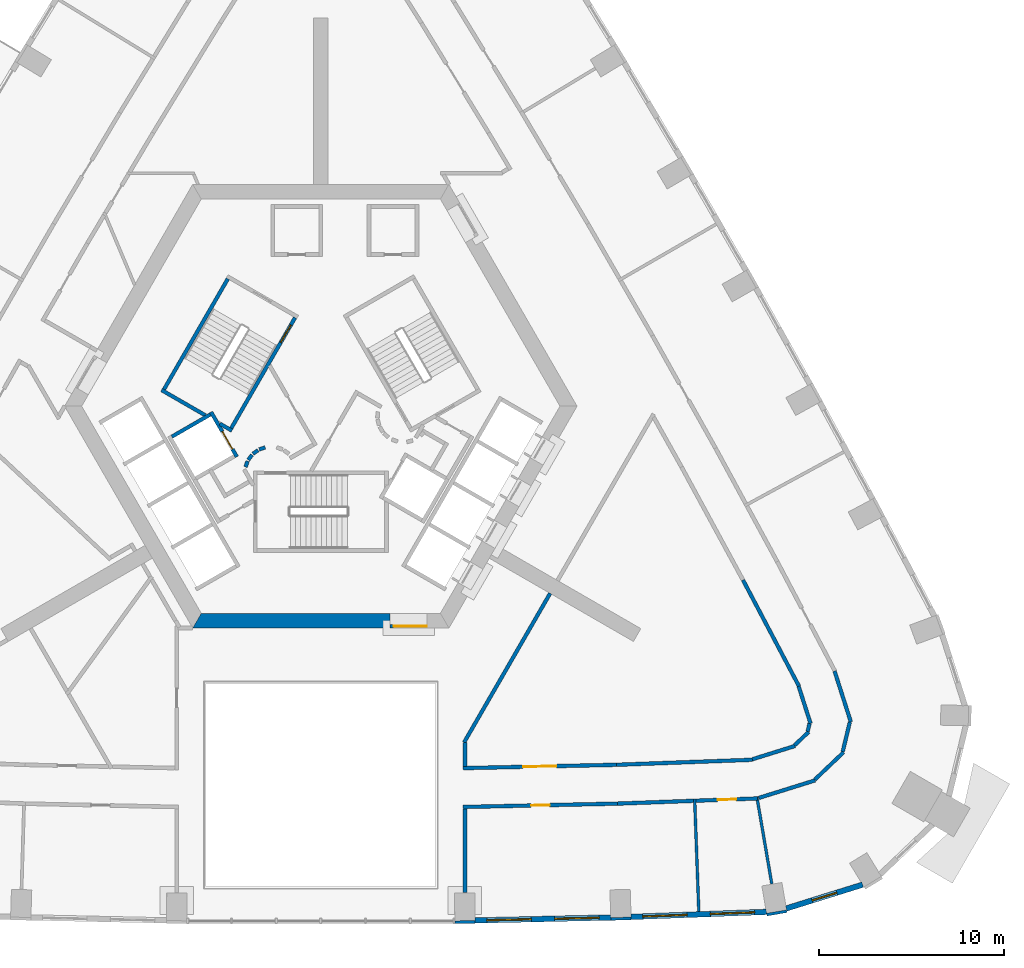
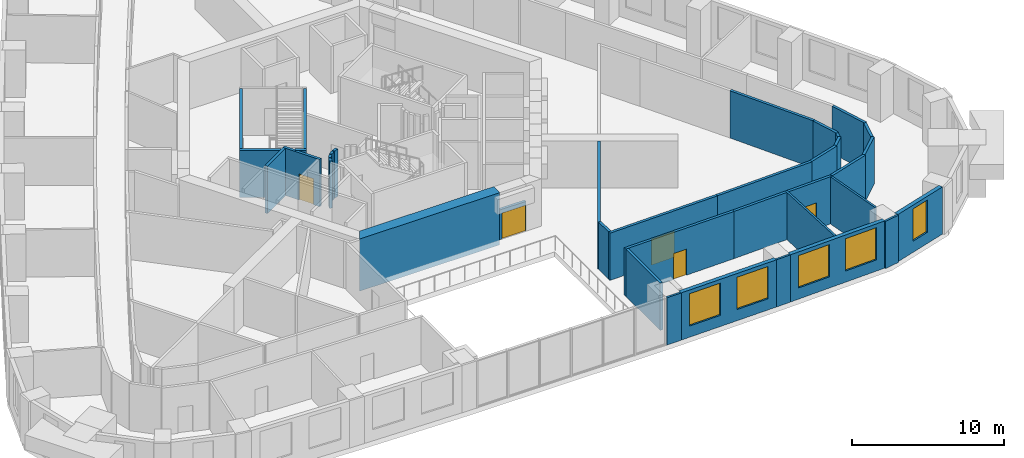
# One storey, part 6 of 15: 37 walls, 6 doors, 5 windows, 11 openings.
"""IFC4 building model written with IfcOpenShell, lengths in metres."""

import ifcopenshell
import ifcopenshell.guid

model = None  # the IFC model being written
_history = None  # IfcOwnerHistory: only IFC2X3 demands one
_inside = {}  # id of a spatial element -> (the spatial element, [elements in it])
_under = {}  # id of a project, library or spatial element -> (it, [spatial elements below it])
_declared = {}  # id of a project -> (the project, [libraries it declares])
_typed = {}  # id of a type object -> (the type object, [elements of that type])
_made_of = {}  # id of a material, layer set ... -> (it, [elements and type objects made of it])


def new_model(schema):
    """Start an empty IFC model of exactly this schema.

    Asked for "IFC4X3", IfcOpenShell would pick the latest addendum, in which some entities
    have other attributes; the version numbers below select the first issue.
    IFC2X3 requires an IfcOwnerHistory on every rooted entity: one is made here for all.
    """
    global model, _history
    if schema == "IFC4X3":
        model = ifcopenshell.file(schema_version=(4, 3, 0, 0))
    else:
        model = ifcopenshell.file(schema=schema)
    _inside.clear()
    _under.clear()
    _declared.clear()
    _typed.clear()
    _made_of.clear()
    _history = None
    if model.schema == "IFC2X3":
        org = make("IfcOrganization", Name="unknown")
        user = make(
            "IfcPersonAndOrganization",
            ThePerson=make("IfcPerson", FamilyName="unknown"),
            TheOrganization=org,
        )
        app = make(
            "IfcApplication",
            ApplicationDeveloper=org,
            Version="unknown",
            ApplicationFullName="unknown",
            ApplicationIdentifier="unknown",
        )
        _history = make(
            "IfcOwnerHistory",
            OwningUser=user,
            OwningApplication=app,
            ChangeAction="ADDED",
            CreationDate=0,
        )
    return model


def make(cls, **values):
    """One entity of the class cls with the attributes given. An attribute that is None is left unset."""
    return model.create_entity(
        cls, **{name: value for name, value in values.items() if value is not None}
    )


def rooted(cls, **values):
    """An entity with a GlobalId (a new one), such as an element, a storey or a relation."""
    return make(cls, GlobalId=ifcopenshell.guid.new(), OwnerHistory=_history, **values)


def si_unit(unit_type, name, prefix=None):
    """IfcSIUnit, for example si_unit("LENGTHUNIT", "METRE", prefix="MILLI")."""
    return make("IfcSIUnit", UnitType=unit_type, Prefix=prefix, Name=name)


def assignment(units):
    """IfcUnitAssignment: the units of a project."""
    return None if units is None else make("IfcUnitAssignment", Units=units)


def point(xyz):
    """IfcCartesianPoint."""
    return None if xyz is None else make("IfcCartesianPoint", Coordinates=xyz)


def direction(xyz):
    """IfcDirection."""
    return None if xyz is None else make("IfcDirection", DirectionRatios=xyz)


def frame(location, z_axis=None, x_axis=None):
    """IfcAxis2Placement3D, a coordinate frame: its origin and axes. An axis left out is left unset."""
    return make(
        "IfcAxis2Placement3D",
        Location=point(location),
        Axis=direction(z_axis),
        RefDirection=direction(x_axis),
    )


def frame_2d(location, x_axis=None):
    """IfcAxis2Placement2D, a coordinate frame in the plane: its origin and x axis."""
    return make(
        "IfcAxis2Placement2D", Location=point(location), RefDirection=direction(x_axis)
    )


def origin():
    """The frame at (0, 0, 0) with its axes left unset."""
    return frame((0.0, 0.0, 0.0))


def place(relative_to, where):
    """IfcLocalPlacement: puts the frame where relative to a parent placement (None: the world)."""
    return make(
        "IfcLocalPlacement", PlacementRelTo=relative_to, RelativePlacement=where
    )


def context(
    kind, dimensions, precision=None, world=None, true_north=None, identifier=None
):
    """IfcGeometricRepresentationContext, for example the 3D "Model" context."""
    return make(
        "IfcGeometricRepresentationContext",
        ContextIdentifier=identifier,
        ContextType=kind,
        CoordinateSpaceDimension=dimensions,
        Precision=precision,
        WorldCoordinateSystem=world,
        TrueNorth=true_north,
    )


def subcontext(parent, identifier, kind, view, scale=None):
    """IfcGeometricRepresentationSubContext, for example "Body" below "Model"."""
    return make(
        "IfcGeometricRepresentationSubContext",
        ContextIdentifier=identifier,
        ContextType=kind,
        ParentContext=parent,
        TargetScale=scale,
        TargetView=view,
    )


def project(units=None, contexts=None):
    """IfcProject with its units and contexts."""
    return rooted(
        "IfcProject",
        Name="project",
        RepresentationContexts=contexts,
        UnitsInContext=assignment(units),
    )


def spatial(cls, under=None, at=None, **own):
    """A site, building, storey or space (cls), placed at a placement, below another one or the project."""
    s = rooted(cls, ObjectPlacement=at, **own)
    if under is not None:
        _under.setdefault(under.id(), (under, []))[1].append(s)
    return s


def polyline(points):
    """IfcPolyline through the points."""
    return make("IfcPolyline", Points=[point(p) for p in points])


def profile(cls, at=None, kind="AREA", **sizes):
    """A parametric profile (cls). Its sizes go by their IFC names, for example OverallWidth=200.0."""
    return make(cls, ProfileType=kind, Position=at, **sizes)


def rectangle(**sizes):
    """IfcRectangleProfileDef."""
    return profile("IfcRectangleProfileDef", **sizes)


def outline(outer, holes=None, kind="AREA"):
    """IfcArbitraryClosedProfileDef: a profile drawn as a closed curve; with holes, ...WithVoids."""
    if holes is None:
        return make("IfcArbitraryClosedProfileDef", ProfileType=kind, OuterCurve=outer)
    return make(
        "IfcArbitraryProfileDefWithVoids",
        ProfileType=kind,
        OuterCurve=outer,
        InnerCurves=holes,
    )


def extrude(swept, where, along, depth):
    """IfcExtrudedAreaSolid: the profile swept, set in the frame where, extruded along a direction by depth."""
    return make(
        "IfcExtrudedAreaSolid",
        SweptArea=swept,
        Position=where,
        ExtrudedDirection=direction(along),
        Depth=depth,
    )


def shape(context_of_items, identifier, shape_type, items):
    """IfcShapeRepresentation: the items that make up one representation, for example the "Body"."""
    return make(
        "IfcShapeRepresentation",
        ContextOfItems=context_of_items,
        RepresentationIdentifier=identifier,
        RepresentationType=shape_type,
        Items=items,
    )


def material(Name=None, Category=None):
    """IfcMaterial."""
    return make("IfcMaterial", Name=Name, Category=Category)


def layer(
    of_material, thickness, ventilated=None, Name=None, Category=None, Priority=None
):
    """IfcMaterialLayer: one layer of a wall or slab, of a material (None: an air gap)."""
    return make(
        "IfcMaterialLayer",
        Material=of_material,
        LayerThickness=thickness,
        IsVentilated=ventilated,
        Name=Name,
        Category=Category,
        Priority=Priority,
    )


def layer_set(layers, Name=None):
    """IfcMaterialLayerSet."""
    return make("IfcMaterialLayerSet", MaterialLayers=layers, LayerSetName=Name)


def made_of(thing, what):
    """Note that an element or type object is made of a material, layer set ...; save() writes the relation."""
    if what is not None:
        _made_of.setdefault(what.id(), (what, []))[1].append(thing)
    return thing


def type_object(cls, material=None, **own):
    """A type object (cls), such as IfcWallType, which elements share."""
    return made_of(rooted(cls, **own), material)


def element(
    cls,
    number,
    at=None,
    inside=None,
    cuts=None,
    type_object=None,
    material=None,
    context=None,
    identifier="Body",
    shape_type=None,
    held_by="IfcProductDefinitionShape",
    body=None,
    shapes=None,
    **own,
):
    """One element of the class cls, such as IfcWall. Its Tag is "e" and its number.

    at: its placement. inside: the storey or other place that contains it. cuts: it is an
    opening in that element (IfcRelVoidsElement). A single representation is given by context,
    identifier, shape_type and body (its items); several are given by shapes. held_by: the class
    of the entity that holds the representations. save() writes the other relations.
    """
    e = rooted(cls, Tag="e%d" % number, ObjectPlacement=at, **own)
    if body is not None:
        shapes = [shape(context, identifier, shape_type, body)]
    if shapes is not None:
        e.Representation = make(held_by, Representations=shapes)
    if inside is not None:
        _inside.setdefault(inside.id(), (inside, []))[1].append(e)
    if cuts is not None:
        rooted(
            "IfcRelVoidsElement", RelatingBuildingElement=cuts, RelatedOpeningElement=e
        )
    if type_object is not None:
        _typed.setdefault(type_object.id(), (type_object, []))[1].append(e)
    return made_of(e, material)


def fill(opening, filler):
    """IfcRelFillsElement: the door or window that sits in an opening."""
    return rooted(
        "IfcRelFillsElement",
        RelatingOpeningElement=opening,
        RelatedBuildingElement=filler,
    )


def aggregate(whole, parts):
    """IfcRelAggregates: a whole, such as a stair, and the parts it consists of."""
    return rooted("IfcRelAggregates", RelatingObject=whole, RelatedObjects=parts)


def save(model, path):
    """Write the relations noted so far, then the file.

    IfcRelAggregates (storeys below a building ...), IfcRelContainedInSpatialStructure (elements
    in a storey), IfcRelDefinesByType, IfcRelAssociatesMaterial and IfcRelDeclares: one each for
    every whole, place, type object, material and project.
    """
    for whole, parts in _under.values():
        aggregate(whole, parts)
    for where, things in _inside.values():
        rooted(
            "IfcRelContainedInSpatialStructure",
            RelatedElements=things,
            RelatingStructure=where,
        )
    for kind, things in _typed.values():
        rooted("IfcRelDefinesByType", RelatedObjects=things, RelatingType=kind)
    for what, things in _made_of.values():
        rooted("IfcRelAssociatesMaterial", RelatedObjects=things, RelatingMaterial=what)
    for by, libraries in _declared.values():
        rooted("IfcRelDeclares", RelatingContext=by, RelatedDefinitions=libraries)
    model.write(path)


model = new_model("IFC4")

# Units and contexts
model_context = context("Model", 3, precision=1e-05, world=origin(), true_north=direction((0.0, 1.0)))
body_context = subcontext(model_context, "Body", "Model", "MODEL_VIEW")
ifc_project = project(units=[si_unit("LENGTHUNIT", "METRE"), si_unit("AREAUNIT", "SQUARE_METRE"), si_unit("VOLUMEUNIT", "CUBIC_METRE"), si_unit("PLANEANGLEUNIT", "RADIAN"), si_unit("MASSUNIT", "GRAM", prefix="KILO")], contexts=[model_context])

# Site, building, storey
site_placement = place(None, origin())
site = spatial("IfcSite", under=ifc_project, at=site_placement, CompositionType="ELEMENT")
building_placement = place(site_placement, origin())
building = spatial("IfcBuilding", under=site, at=building_placement, Name="Entoto Arch Interchange Tower", CompositionType="ELEMENT")
storey_placement = place(building_placement, frame((0.0, 0.0, 171.800048828125)))
storey = spatial("IfcBuildingStorey", under=building, at=storey_placement, Name="L38", CompositionType="ELEMENT", Elevation=171.800048828125)

# Wall, opening, door
ifc_material_1 = material(Name="Reinforced concrete C40/50", Category="concrete")
ifc_layer_1 = layer(ifc_material_1, 0.199951171875)
ifc_layer_set_1 = layer_set([ifc_layer_1], Name="Reinforced concrete C40/50")
wall_type_1 = type_object("IfcWallType", Name="CORE GAP INFILL WALL", PredefinedType="PARTITIONING", material=ifc_layer_set_1)
wall_1_placement = place(storey_placement, frame((3.75, -9.39990234375, 0.0), z_axis=(0.0, 0.0, 1.0), x_axis=(1.0, 0.0, 0.0)))
wall_1 = element("IfcWall", 1, at=wall_1_placement, inside=storey, type_object=wall_type_1, Name="wall:L38:gap1", PredefinedType="PARTITIONING", context=body_context, shape_type="SweptSolid", body=[
    extrude(rectangle(XDim=2.0, YDim=0.199951171875, at=frame_2d((1.0, 0.0))), origin(), (0.0, 0.0, 1.0), 2.39990234375),
])
opening_1_placement = place(wall_1_placement, frame((0.18994140625, 0.0, 0.0)))
opening_1 = element("IfcOpeningElement", 2, at=opening_1_placement, cuts=wall_1, Name="Opening L38-D91", PredefinedType="OPENING", context=body_context, shape_type="SweptSolid", body=[
    extrude(rectangle(XDim=1.800048828125, YDim=2.10009765625, at=frame_2d((0.89990234375, 1.050048828125))), frame((0.0, 0.10986328125, 0.0), z_axis=(0.0, -1.0, 0.0), x_axis=(1.0, 0.0, 0.0)), (0.0, 0.0, 1.0), 0.219970703125),
])
ifc_material_2 = material(Name="Fire-rated Steel S235 door and frame", Category="steel")
door_type_1 = type_object("IfcDoorType", Name="DOOR FD-18 1800x2100", OperationType="DOUBLE_DOOR_SINGLE_SWING", PredefinedType="DOOR", material=ifc_material_2)
door_1_placement = place(opening_1_placement, origin())
door_1 = element("IfcDoor", 3, at=door_1_placement, inside=storey, type_object=door_type_1, Name="door:L38:gap1", OperationType="DOUBLE_DOOR_SINGLE_SWING", OverallHeight=2.10009765625, OverallWidth=1.800048828125, PredefinedType="DOOR", context=body_context, shape_type="SweptSolid", body=[
    extrude(rectangle(XDim=1.800048828125, YDim=2.10009765625, at=frame_2d((0.89990234375, 1.050048828125))), frame((0.0, 0.02490234375, 0.0), z_axis=(0.0, -1.0, 0.0), x_axis=(1.0, 0.0, 0.0)), (0.0, 0.0, 1.0), 0.050048828125),
])
fill(opening_1, door_1)

# Wall
ifc_material_3 = material(Name="Concrete C50/60", Category="concrete")
ifc_layer_2 = layer(ifc_material_3, 0.800048828125)
ifc_layer_set_2 = layer_set([ifc_layer_2], Name="Concrete C50/60")
wall_type_2 = type_object("IfcWallType", Name="Core wall 800 C50/60", PredefinedType="SHEAR", material=ifc_layer_set_2)
wall_2_placement = place(storey_placement, frame((0.0, 0.0, -0.400146484375)))
element("IfcWall", 4, at=wall_2_placement, inside=storey, type_object=wall_type_2, Name="Core wall S L38", PredefinedType="SHEAR", context=body_context, shape_type="SweptSolid", body=[
    extrude(outline(polyline([(3.75, -9.5), (3.75, -8.699951171875), (-6.466064453125, -8.699951171875), (-6.927978515625, -9.5), (3.75, -9.5)])), origin(), (0.0, 0.0, 1.0), 4.2001953125),
])

# Wall, opening, door
ifc_material_4 = material(Name="Concrete C40/50", Category="concrete")
ifc_layer_3 = layer(ifc_material_4, 0.199951171875)
ifc_layer_set_3 = layer_set([ifc_layer_3], Name="Concrete C40/50")
wall_type_3 = type_object("IfcWallType", Name="LIFT SHAFT WALL 200", PredefinedType="STANDARD", material=ifc_layer_set_3)
wall_3_placement = place(storey_placement, frame((-5.93994140625, 2.18798828125, 0.0), z_axis=(0.0, 0.0, 1.0), x_axis=(0.49994636267, -0.866056369097, 0.0)))
wall_3 = element("IfcWall", 5, at=wall_3_placement, inside=storey, type_object=wall_type_3, Name="Shaft wall SW1 front", PredefinedType="STANDARD", context=body_context, shape_type="SweptSolid", body=[
    extrude(rectangle(XDim=2.800048828125, YDim=0.199951171875, at=frame_2d((1.39990234375, 0.0))), origin(), (0.0, 0.0, 1.0), 3.800048828125),
])
opening_2_placement = place(wall_3_placement, frame((1.22509765625, 0.0, 0.0)))
opening_2 = element("IfcOpeningElement", 6, at=opening_2_placement, cuts=wall_3, Name="Opening LD-FF2-L38", PredefinedType="OPENING", context=body_context, shape_type="SweptSolid", body=[
    extrude(rectangle(XDim=1.10009765625, YDim=2.10009765625, at=frame_2d((0.550048828125, 1.050048828125))), frame((0.0, 0.10986328125, 0.0), z_axis=(0.0, -1.0, 0.0), x_axis=(1.0, 0.0, 0.0)), (0.0, 0.0, 1.0), 0.219970703125),
])
ifc_material_5 = material(Name="Stainless steel 1.4301 panels", Category="steel")
door_type_2 = type_object("IfcDoorType", Name="LIFT LANDING DOOR LD1 1100x2100", OperationType="SLIDING_TO_LEFT", PredefinedType="DOOR", material=ifc_material_5)
door_2_placement = place(opening_2_placement, origin())
door_2 = element("IfcDoor", 7, at=door_2_placement, inside=storey, type_object=door_type_2, Name="Lift landing door FF2 L38", OperationType="SLIDING_TO_LEFT", OverallHeight=2.10009765625, OverallWidth=1.10009765625, PredefinedType="DOOR", context=body_context, shape_type="SweptSolid", body=[
    extrude(rectangle(XDim=1.10009765625, YDim=2.10009765625, at=frame_2d((0.550048828125, 1.050048828125))), frame((0.0, 0.02490234375, 0.0), z_axis=(0.0, -1.0, 0.0), x_axis=(1.0, 0.0, 0.0)), (0.0, 0.0, 1.0), 0.050048828125),
])
fill(opening_2, door_2)

# Walls
wall_4_placement = place(storey_placement, frame((-5.97705078125, 2.052001953125, 0.0), z_axis=(0.0, 0.0, 1.0), x_axis=(-0.865973769406, -0.500089422704, 0.0)))
element("IfcWall", 8, at=wall_4_placement, inside=storey, type_object=wall_type_3, Name="Shaft wall SW1 cross 1", PredefinedType="STANDARD", context=body_context, shape_type="SweptSolid", body=[
    extrude(rectangle(XDim=2.3994140625, YDim=0.199951171875, at=frame_2d((1.19970703125, 0.0))), origin(), (0.0, 0.0, 1.0), 3.800048828125),
])
ifc_material_6 = material(Name="Gypsum board partition on steel studs", Category="steel")
ifc_layer_4 = layer(ifc_material_6, 0.14990234375)
ifc_layer_set_4 = layer_set([ifc_layer_4], Name="Gypsum board partition on steel studs")
wall_type_4 = type_object("IfcWallType", Name="PARTITION 150", PredefinedType="PARTITIONING", material=ifc_layer_set_4)
wall_5_placement = place(storey_placement, frame((20.215087890625, -18.738037109375, 0.0), z_axis=(0.0, 0.0, 1.0), x_axis=(0.037020542149, -0.999314504778, 0.0)))
element("IfcWall", 9, at=wall_5_placement, inside=storey, type_object=wall_type_4, Name="wall:L38:p134", PredefinedType="PARTITIONING", context=body_context, shape_type="SweptSolid", body=[
    extrude(rectangle(XDim=6.10009765625, YDim=0.14990234375, at=frame_2d((3.050048828125, 0.0))), origin(), (0.0, 0.0, 1.0), 3.800048828125),
])
wall_6_placement = place(storey_placement, frame((23.577880859375, -18.614013671875, 0.0), z_axis=(0.0, 0.0, 1.0), x_axis=(0.169054430835, -0.985606716401, 0.0)))
element("IfcWall", 10, at=wall_6_placement, inside=storey, type_object=wall_type_4, Name="wall:L38:p135", PredefinedType="PARTITIONING", context=body_context, shape_type="SweptSolid", body=[
    extrude(rectangle(XDim=4.785888671875, YDim=0.14990234375, at=frame_2d((2.39306640625, 0.0))), origin(), (0.0, 0.0, 1.0), 3.800048828125),
])

# Wall, opening, door
ifc_layer_5 = layer(ifc_material_6, 0.199951171875)
ifc_layer_set_5 = layer_set([ifc_layer_5], Name="Gypsum board partition on steel studs")
wall_type_5 = type_object("IfcWallType", Name="PARTITION 200", PredefinedType="PARTITIONING", material=ifc_layer_set_5)
wall_7_placement = place(storey_placement, frame((7.699951171875, -17.072998046875, 0.0), z_axis=(0.0, 0.0, 1.0), x_axis=(0.999764372799, 0.021707115919, 0.0)))
wall_7 = element("IfcWall", 11, at=wall_7_placement, inside=storey, type_object=wall_type_5, Name="wall:L38:p018", PredefinedType="PARTITIONING", context=body_context, shape_type="SweptSolid", body=[
    extrude(rectangle(XDim=8.2890625, YDim=0.199951171875, at=frame_2d((4.14453125, 0.0))), origin(), (0.0, 0.0, 1.0), 3.800048828125),
])
opening_3_placement = place(wall_7_placement, frame((3.2451171875, 0.0, 0.0)))
opening_3 = element("IfcOpeningElement", 12, at=opening_3_placement, cuts=wall_7, Name="Opening L38-D15", PredefinedType="OPENING", context=body_context, shape_type="SweptSolid", body=[
    extrude(rectangle(XDim=1.800048828125, YDim=2.10009765625, at=frame_2d((0.89990234375, 1.050048828125))), frame((0.0, 0.10986328125, 0.0), z_axis=(0.0, -1.0, 0.0), x_axis=(1.0, 0.0, 0.0)), (0.0, 0.0, 1.0), 0.219970703125),
])
ifc_material_7 = material(Name="Timber door leaf in Steel S235 frame", Category="steel")
door_type_3 = type_object("IfcDoorType", Name="DOOR DD-18 1800x2100", OperationType="DOUBLE_DOOR_SINGLE_SWING", PredefinedType="DOOR", material=ifc_material_7)
door_3_placement = place(opening_3_placement, origin())
door_3 = element("IfcDoor", 13, at=door_3_placement, inside=storey, type_object=door_type_3, Name="door:L38:15", OperationType="DOUBLE_DOOR_SINGLE_SWING", OverallHeight=2.10009765625, OverallWidth=1.800048828125, PredefinedType="DOOR", context=body_context, shape_type="SweptSolid", body=[
    extrude(rectangle(XDim=1.800048828125, YDim=2.10009765625, at=frame_2d((0.89990234375, 1.050048828125))), frame((0.0, 0.02490234375, 0.0), z_axis=(0.0, -1.0, 0.0), x_axis=(1.0, 0.0, 0.0)), (0.0, 0.0, 1.0), 0.050048828125),
])
fill(opening_3, door_3)

# Walls
wall_8_placement = place(storey_placement, frame((15.987060546875, -16.89306640625, 0.0), z_axis=(0.0, 0.0, 1.0), x_axis=(0.999316060953, 0.036978511606, 0.0)))
element("IfcWall", 14, at=wall_8_placement, inside=storey, type_object=wall_type_5, Name="wall:L38:p019", PredefinedType="PARTITIONING", context=body_context, shape_type="SweptSolid", body=[
    extrude(rectangle(XDim=7.35498046875, YDim=0.199951171875, at=frame_2d((3.677490234375, 0.0))), origin(), (0.0, 0.0, 1.0), 3.800048828125),
])
wall_9_placement = place(storey_placement, frame((23.3330078125, -16.594970703125, 0.0), z_axis=(0.0, 0.0, 1.0), x_axis=(0.95454810771, 0.298056890655, 0.0)))
element("IfcWall", 15, at=wall_9_placement, inside=storey, type_object=wall_type_5, Name="wall:L38:p020", PredefinedType="PARTITIONING", context=body_context, shape_type="SweptSolid", body=[
    extrude(rectangle(XDim=2.422119140625, YDim=0.199951171875, at=frame_2d((1.2109375, 0.0))), origin(), (0.0, 0.0, 1.0), 3.800048828125),
])
wall_10_placement = place(storey_placement, frame((25.6220703125, -15.833984375, 0.0), z_axis=(0.0, 0.0, 1.0), x_axis=(0.725069777966, 0.688675407634, 0.0)))
element("IfcWall", 16, at=wall_10_placement, inside=storey, type_object=wall_type_5, Name="wall:L38:p021", PredefinedType="PARTITIONING", context=body_context, shape_type="SweptSolid", body=[
    extrude(rectangle(XDim=1.039794921875, YDim=0.199951171875, at=frame_2d((0.52001953125, 0.0))), origin(), (0.0, 0.0, 1.0), 3.800048828125),
])
wall_11_placement = place(storey_placement, frame((26.326904296875, -15.089111328125, 0.0), z_axis=(0.0, 0.0, 1.0), x_axis=(0.233414791565, 0.972377259647, 0.0)))
element("IfcWall", 17, at=wall_11_placement, inside=storey, type_object=wall_type_5, Name="wall:L38:p022", PredefinedType="PARTITIONING", context=body_context, shape_type="SweptSolid", body=[
    extrude(rectangle(XDim=0.44140625, YDim=0.199951171875, at=frame_2d((0.220703125, 0.0))), origin(), (0.0, 0.0, 1.0), 3.800048828125),
])
wall_12_placement = place(storey_placement, frame((26.48388671875, -14.657958984375, 0.0), z_axis=(0.0, 0.0, 1.0), x_axis=(-0.305169069368, 0.952298188122, 0.0)))
element("IfcWall", 18, at=wall_12_placement, inside=storey, type_object=wall_type_5, Name="wall:L38:p023", PredefinedType="PARTITIONING", context=body_context, shape_type="SweptSolid", body=[
    extrude(rectangle(XDim=2.116943359375, YDim=0.199951171875, at=frame_2d((1.05859375, 0.0))), origin(), (0.0, 0.0, 1.0), 3.800048828125),
])
wall_13_placement = place(storey_placement, frame((25.85400390625, -12.635009765625, 0.0), z_axis=(0.0, 0.0, 1.0), x_axis=(-0.466483047656, 0.884530138689, 0.0)))
element("IfcWall", 19, at=wall_13_placement, inside=storey, type_object=wall_type_5, Name="wall:L38:p024", PredefinedType="PARTITIONING", context=body_context, shape_type="SweptSolid", body=[
    extrude(rectangle(XDim=6.487060546875, YDim=0.199951171875, at=frame_2d((3.24365234375, 0.0))), origin(), (0.0, 0.0, 1.0), 3.800048828125),
])
wall_14_placement = place(storey_placement, frame((20.14306640625, -18.841064453125, 0.0), z_axis=(0.0, 0.0, 1.0), x_axis=(-0.999321592708, -0.036828716339, 0.0)))
element("IfcWall", 20, at=wall_14_placement, inside=storey, type_object=wall_type_5, Name="wall:L38:p043", PredefinedType="PARTITIONING", context=body_context, shape_type="SweptSolid", body=[
    extrude(rectangle(XDim=4.0966796875, YDim=0.199951171875, at=frame_2d((2.04833984375, 0.0))), origin(), (0.0, 0.0, 1.0), 3.800048828125),
])

# Wall, opening, door
wall_15_placement = place(storey_placement, frame((16.049072265625, -18.991943359375, 0.0), z_axis=(0.0, 0.0, 1.0), x_axis=(-0.999762156504, -0.021808952826, 0.0)))
wall_15 = element("IfcWall", 21, at=wall_15_placement, inside=storey, type_object=wall_type_5, Name="wall:L38:p044", PredefinedType="PARTITIONING", context=body_context, shape_type="SweptSolid", body=[
    extrude(rectangle(XDim=8.35107421875, YDim=0.199951171875, at=frame_2d((4.175537109375, 0.0))), origin(), (0.0, 0.0, 1.0), 3.800048828125),
])
opening_4_placement = place(wall_15_placement, frame((3.675048828125, 0.0, 0.0)))
opening_4 = element("IfcOpeningElement", 22, at=opening_4_placement, cuts=wall_15, Name="Opening L38-D01", PredefinedType="OPENING", context=body_context, shape_type="SweptSolid", body=[
    extrude(rectangle(XDim=1.0, YDim=2.10009765625, at=frame_2d((0.5, 1.050048828125))), frame((0.0, 0.10986328125, 0.0), z_axis=(0.0, -1.0, 0.0), x_axis=(1.0, 0.0, 0.0)), (0.0, 0.0, 1.0), 0.219970703125),
])
door_type_4 = type_object("IfcDoorType", Name="DOOR DS-10 1000x2100", OperationType="SINGLE_SWING_LEFT", PredefinedType="DOOR", material=ifc_material_7)
door_4_placement = place(opening_4_placement, origin())
door_4 = element("IfcDoor", 23, at=door_4_placement, inside=storey, type_object=door_type_4, Name="door:L38:01", OperationType="SINGLE_SWING_RIGHT", OverallHeight=2.10009765625, OverallWidth=1.0, PredefinedType="DOOR", context=body_context, shape_type="SweptSolid", body=[
    extrude(rectangle(XDim=1.0, YDim=2.10009765625, at=frame_2d((0.5, 1.050048828125))), frame((0.0, 0.02490234375, 0.0), z_axis=(0.0, -1.0, 0.0), x_axis=(1.0, 0.0, 0.0)), (0.0, 0.0, 1.0), 0.050048828125),
])
fill(opening_4, door_4)

wall_16_placement = place(storey_placement, frame((23.6201171875, -18.7119140625, 0.0), z_axis=(0.0, 0.0, 1.0), x_axis=(-0.999316841287, -0.03695741767, 0.0)))
wall_16 = element("IfcWall", 24, at=wall_16_placement, inside=storey, type_object=wall_type_5, Name="wall:L38:p045", PredefinedType="PARTITIONING", context=body_context, shape_type="SweptSolid", body=[
    extrude(rectangle(XDim=3.329345703125, YDim=0.199951171875, at=frame_2d((1.66455078125, 0.0))), origin(), (0.0, 0.0, 1.0), 3.800048828125),
])
opening_5_placement = place(wall_16_placement, frame((1.1650390625, 0.0, 0.0)))
opening_5 = element("IfcOpeningElement", 25, at=opening_5_placement, cuts=wall_16, Name="Opening L38-D02", PredefinedType="OPENING", context=body_context, shape_type="SweptSolid", body=[
    extrude(rectangle(XDim=1.0, YDim=2.10009765625, at=frame_2d((0.5, 1.050048828125))), frame((0.0, 0.10986328125, 0.0), z_axis=(0.0, -1.0, 0.0), x_axis=(1.0, 0.0, 0.0)), (0.0, 0.0, 1.0), 0.219970703125),
])
door_5_placement = place(opening_5_placement, origin())
door_5 = element("IfcDoor", 26, at=door_5_placement, inside=storey, type_object=door_type_4, Name="door:L38:02", OperationType="SINGLE_SWING_LEFT", OverallHeight=2.10009765625, OverallWidth=1.0, PredefinedType="DOOR", context=body_context, shape_type="SweptSolid", body=[
    extrude(rectangle(XDim=1.0, YDim=2.10009765625, at=frame_2d((0.5, 1.050048828125))), frame((0.0, 0.02490234375, 0.0), z_axis=(0.0, -1.0, 0.0), x_axis=(1.0, 0.0, 0.0)), (0.0, 0.0, 1.0), 0.050048828125),
])
fill(opening_5, door_5)

# Walls
wall_17_placement = place(storey_placement, frame((27.781982421875, -11.824951171875, 0.0), z_axis=(0.0, 0.0, 1.0), x_axis=(0.304925942137, -0.952376065329, 0.0)))
element("IfcWall", 27, at=wall_17_placement, inside=storey, type_object=wall_type_5, Name="wall:L38:p048", PredefinedType="PARTITIONING", context=body_context, shape_type="SweptSolid", body=[
    extrude(rectangle(XDim=2.8896484375, YDim=0.199951171875, at=frame_2d((1.44482421875, 0.0))), origin(), (0.0, 0.0, 1.0), 3.800048828125),
])
wall_18_placement = place(storey_placement, frame((28.60888671875, -14.5791015625, 0.0), z_axis=(0.0, 0.0, 1.0), x_axis=(-0.233826017197, -0.972278454807, 0.0)))
element("IfcWall", 28, at=wall_18_placement, inside=storey, type_object=wall_type_5, Name="wall:L38:p049", PredefinedType="PARTITIONING", context=body_context, shape_type="SweptSolid", body=[
    extrude(rectangle(XDim=1.650634765625, YDim=0.199951171875, at=frame_2d((0.8251953125, 0.0))), origin(), (0.0, 0.0, 1.0), 3.800048828125),
])
wall_19_placement = place(storey_placement, frame((28.27197265625, -16.2119140625, 0.0), z_axis=(0.0, 0.0, 1.0), x_axis=(-0.724712974479, -0.689050872303, 0.0)))
element("IfcWall", 29, at=wall_19_placement, inside=storey, type_object=wall_type_5, Name="wall:L38:p050", PredefinedType="PARTITIONING", context=body_context, shape_type="SweptSolid", body=[
    extrude(rectangle(XDim=2.149658203125, YDim=0.199951171875, at=frame_2d((1.07470703125, 0.0))), origin(), (0.0, 0.0, 1.0), 3.800048828125),
])
wall_20_placement = place(storey_placement, frame((26.737060546875, -17.73193359375, 0.0), z_axis=(0.0, 0.0, 1.0), x_axis=(-0.954546657381, -0.298061535398, 0.0)))
element("IfcWall", 30, at=wall_20_placement, inside=storey, type_object=wall_type_5, Name="wall:L38:p051", PredefinedType="PARTITIONING", context=body_context, shape_type="SweptSolid", body=[
    extrude(rectangle(XDim=3.191162109375, YDim=0.199951171875, at=frame_2d((1.595703125, 0.0))), origin(), (0.0, 0.0, 1.0), 3.800048828125),
])
wall_21_placement = place(storey_placement, frame((-3.011962890625, 0.27294921875, 0.0), z_axis=(0.0, 0.0, 1.0), x_axis=(-0.942280615813, -0.334824194261, 0.0)))
element("IfcWall", 31, at=wall_21_placement, inside=storey, type_object=wall_type_5, Name="wall:L38:p112", PredefinedType="PARTITIONING", context=body_context, shape_type="SweptSolid", body=[
    extrude(rectangle(XDim=0.337646484375, YDim=0.199951171875, at=frame_2d((0.1689453125, 0.0))), origin(), (0.0, 0.0, 1.0), 3.800048828125),
])
wall_22_placement = place(storey_placement, frame((-3.39697265625, 0.1240234375, 0.0), z_axis=(0.0, 0.0, 1.0), x_axis=(-0.804311165252, -0.594208338422, 0.0)))
element("IfcWall", 32, at=wall_22_placement, inside=storey, type_object=wall_type_5, Name="wall:L38:p113", PredefinedType="PARTITIONING", context=body_context, shape_type="SweptSolid", body=[
    extrude(rectangle(XDim=0.338134765625, YDim=0.199951171875, at=frame_2d((0.1689453125, 0.0))), origin(), (0.0, 0.0, 1.0), 3.800048828125),
])
wall_23_placement = place(storey_placement, frame((-3.722900390625, -0.131103515625, 0.0), z_axis=(0.0, 0.0, 1.0), x_axis=(-0.594675113454, -0.803966112121, 0.0)))
element("IfcWall", 33, at=wall_23_placement, inside=storey, type_object=wall_type_5, Name="wall:L38:p114", PredefinedType="PARTITIONING", context=body_context, shape_type="SweptSolid", body=[
    extrude(rectangle(XDim=0.33837890625, YDim=0.199951171875, at=frame_2d((0.169189453125, 0.0))), origin(), (0.0, 0.0, 1.0), 3.800048828125),
])
wall_24_placement = place(storey_placement, frame((-3.9599609375, -0.469970703125, 0.0), z_axis=(0.0, 0.0, 1.0), x_axis=(-0.334824194261, -0.942280615813, 0.0)))
element("IfcWall", 34, at=wall_24_placement, inside=storey, type_object=wall_type_5, Name="wall:L38:p115", PredefinedType="PARTITIONING", context=body_context, shape_type="SweptSolid", body=[
    extrude(rectangle(XDim=0.337646484375, YDim=0.199951171875, at=frame_2d((0.1689453125, 0.0))), origin(), (0.0, 0.0, 1.0), 3.800048828125),
])
wall_25_placement = place(storey_placement, frame((7.800048828125, -15.68994140625, 0.0), z_axis=(0.0, 0.0, 1.0), x_axis=(0.0, -1.0, 0.0)))
element("IfcWall", 35, at=wall_25_placement, inside=storey, type_object=wall_type_5, Name="wall:L38:p116", PredefinedType="PARTITIONING", context=body_context, shape_type="SweptSolid", body=[
    extrude(rectangle(XDim=1.281005859375, YDim=0.199951171875, at=frame_2d((0.640625, 0.0))), origin(), (0.0, 0.0, 1.0), 3.800048828125),
])
wall_26_placement = place(storey_placement, frame((7.800048828125, -19.27197265625, 0.0), z_axis=(0.0, 0.0, 1.0), x_axis=(0.0, -1.0, 0.0)))
element("IfcWall", 36, at=wall_26_placement, inside=storey, type_object=wall_type_5, Name="wall:L38:p119", PredefinedType="PARTITIONING", context=body_context, shape_type="SweptSolid", body=[
    extrude(rectangle(XDim=4.531005859375, YDim=0.199951171875, at=frame_2d((2.265625, 0.0))), origin(), (0.0, 0.0, 1.0), 3.800048828125),
])
wall_27_placement = place(storey_placement, frame((12.40087890625, -7.62109375, 0.0), z_axis=(0.0, 0.0, 1.0), x_axis=(-0.499983724212, -0.866034800411, 0.0)))
element("IfcWall", 37, at=wall_27_placement, inside=storey, type_object=wall_type_5, Name="wall:L38:p121", PredefinedType="PARTITIONING", context=body_context, shape_type="SweptSolid", body=[
    extrude(rectangle(XDim=9.302001953125, YDim=0.199951171875, at=frame_2d((4.65087890625, 0.0))), origin(), (0.0, 0.0, 1.0), 3.800048828125),
])
ifc_layer_6 = layer(ifc_material_4, 0.199951171875)
ifc_layer_set_6 = layer_set([ifc_layer_6], Name="Concrete C40/50")
wall_type_6 = type_object("IfcWallType", Name="STAIR ENCLOSURE WALL 200", PredefinedType="STANDARD", material=ifc_layer_set_6)
wall_28_placement = place(storey_placement, frame((-6.25, 2.010009765625, 0.0), z_axis=(0.0, 0.0, 1.0), x_axis=(-0.86611865017, 0.499838457731, 0.0)))
element("IfcWall", 38, at=wall_28_placement, inside=storey, type_object=wall_type_6, Name="Stair wall ST-NW far", PredefinedType="STANDARD", context=body_context, shape_type="SweptSolid", body=[
    extrude(rectangle(XDim=2.73291015625, YDim=0.199951171875, at=frame_2d((1.366455078125, 0.0))), origin(), (0.0, 0.0, 1.0), 3.800048828125),
])
wall_29_placement = place(storey_placement, frame((-4.805908203125, 1.176025390625, 0.0), z_axis=(0.0, 0.0, 1.0), x_axis=(-0.866558586415, 0.499075361355, 0.0)))
element("IfcWall", 39, at=wall_29_placement, inside=storey, type_object=wall_type_6, Name="Stair wall ST-NW far return", PredefinedType="STANDARD", context=body_context, shape_type="SweptSolid", body=[
    extrude(rectangle(XDim=0.75146484375, YDim=0.199951171875, at=frame_2d((0.375732421875, 0.0))), origin(), (0.0, 0.0, 1.0), 3.800048828125),
])

# Wall, opening, door
wall_30_placement = place(storey_placement, frame((-1.39306640625, 7.2880859375, 0.0), z_axis=(0.0, 0.0, 1.0), x_axis=(-0.499963383562, -0.866046543262, 0.0)))
wall_30 = element("IfcWall", 40, at=wall_30_placement, inside=storey, type_object=wall_type_6, Name="Stair wall ST-NW hall", PredefinedType="STANDARD", context=body_context, shape_type="SweptSolid", body=[
    extrude(rectangle(XDim=6.900390625, YDim=0.199951171875, at=frame_2d((3.4501953125, 0.0))), origin(), (0.0, 0.0, 1.0), 3.800048828125),
])
opening_6_placement = place(wall_30_placement, frame((0.449951171875, 0.0, 0.0)))
opening_6 = element("IfcOpeningElement", 41, at=opening_6_placement, cuts=wall_30, Name="Opening SD-ST-NW-L38", PredefinedType="OPENING", context=body_context, shape_type="SweptSolid", body=[
    extrude(rectangle(XDim=1.10009765625, YDim=2.199951171875, at=frame_2d((0.550048828125, 1.10009765625))), frame((0.0, 0.10986328125, 0.0), z_axis=(0.0, -1.0, 0.0), x_axis=(1.0, 0.0, 0.0)), (0.0, 0.0, 1.0), 0.219970703125),
])
ifc_material_8 = material(Name="Steel S235", Category="steel")
door_type_5 = type_object("IfcDoorType", Name="STAIR DOOR SD1 1100x2200", OperationType="SINGLE_SWING_LEFT", PredefinedType="DOOR", material=ifc_material_8)
door_6_placement = place(opening_6_placement, origin())
door_6 = element("IfcDoor", 42, at=door_6_placement, inside=storey, type_object=door_type_5, Name="Stair door ST-NW L38", OperationType="SINGLE_SWING_LEFT", OverallHeight=2.199951171875, OverallWidth=1.10009765625, PredefinedType="DOOR", context=body_context, shape_type="SweptSolid", body=[
    extrude(rectangle(XDim=1.10009765625, YDim=2.199951171875, at=frame_2d((0.550048828125, 1.10009765625))), frame((0.0, 0.02490234375, 0.0), z_axis=(0.0, -1.0, 0.0), x_axis=(1.0, 0.0, 0.0)), (0.0, 0.0, 1.0), 0.050048828125),
])
fill(opening_6, door_6)

# Wall
wall_31_placement = place(storey_placement, frame((-5.030029296875, 9.387939453125, 0.0), z_axis=(0.0, 0.0, 1.0), x_axis=(-0.499978703459, -0.866037698999, 0.0)))
element("IfcWall", 43, at=wall_31_placement, inside=storey, type_object=wall_type_6, Name="Stair wall ST-NW back", PredefinedType="STANDARD", context=body_context, shape_type="SweptSolid", body=[
    extrude(rectangle(XDim=6.900146484375, YDim=0.199951171875, at=frame_2d((3.4501953125, 0.0))), origin(), (0.0, 0.0, 1.0), 3.800048828125),
])

# Wall, openings, windows
ifc_material_9 = material(Name="Welded tuff (ignimbrite) cladding, warm buff", Category="masonry")
ifc_layer_7 = layer(ifc_material_9, 0.300048828125)
ifc_layer_set_7 = layer_set([ifc_layer_7], Name="Welded tuff (ignimbrite) cladding, warm buff")
wall_type_7 = type_object("IfcWallType", Name="STONE INFILL WALL 300", PredefinedType="STANDARD", material=ifc_layer_set_7)
wall_32_placement = place(storey_placement, frame((8.346923828125, -25.31103515625, 0.0), z_axis=(0.0, 0.0, 1.0), x_axis=(0.999765201774, 0.021668902196, 0.0)))
wall_32 = element("IfcWall", 44, at=wall_32_placement, inside=storey, type_object=wall_type_7, Name="Facade wall S-04 L38", PredefinedType="STANDARD", context=body_context, shape_type="SweptSolid", body=[
    extrude(rectangle(XDim=7.334716796875, YDim=0.300048828125, at=frame_2d((3.66748046875, 0.0))), origin(), (0.0, 0.0, 1.0), 3.800048828125),
])
opening_7_placement = place(wall_32_placement, frame((0.634033203125, 0.0, 0.89990234375)))
opening_7 = element("IfcOpeningElement", 45, at=opening_7_placement, cuts=wall_32, Name="Opening WO-A", PredefinedType="OPENING", context=body_context, shape_type="SweptSolid", body=[
    extrude(rectangle(XDim=2.39990234375, YDim=2.60009765625, at=frame_2d((1.199951171875, 1.300048828125))), frame((0.0, 0.16015625, 0.0), z_axis=(0.0, -1.0, 0.0), x_axis=(1.0, 0.0, 0.0)), (0.0, 0.0, 1.0), 0.320068359375),
])
opening_8_placement = place(wall_32_placement, frame((4.301025390625, 0.0, 0.89990234375)))
opening_8 = element("IfcOpeningElement", 46, at=opening_8_placement, cuts=wall_32, Name="Opening WO-A", PredefinedType="OPENING", context=body_context, shape_type="SweptSolid", body=[
    extrude(rectangle(XDim=2.39990234375, YDim=2.60009765625, at=frame_2d((1.199951171875, 1.300048828125))), frame((0.0, 0.16015625, 0.0), z_axis=(0.0, -1.0, 0.0), x_axis=(1.0, 0.0, 0.0)), (0.0, 0.0, 1.0), 0.320068359375),
])
ifc_material_10 = material(Name="Clear glass, low-e double glazed", Category="glass")
window_type_1 = type_object("IfcWindowType", Name="WINDOW WO-A 2400x2600", PartitioningType="DOUBLE_PANEL_VERTICAL", PredefinedType="WINDOW", material=ifc_material_10)
window_1_placement = place(opening_7_placement, origin())
window_1 = element("IfcWindow", 47, at=window_1_placement, inside=storey, type_object=window_type_1, Name="Window WO-A S-04 L38", OverallHeight=2.60009765625, OverallWidth=2.39990234375, PartitioningType="SINGLE_PANEL", PredefinedType="WINDOW", context=body_context, shape_type="SweptSolid", body=[
    extrude(rectangle(XDim=2.39990234375, YDim=2.60009765625, at=frame_2d((1.199951171875, 1.300048828125))), frame((0.0, 0.030029296875, 0.0), z_axis=(0.0, -1.0, 0.0), x_axis=(1.0, 0.0, 0.0)), (0.0, 0.0, 1.0), 0.06005859375),
])
fill(opening_7, window_1)
window_2_placement = place(opening_8_placement, origin())
window_2 = element("IfcWindow", 48, at=window_2_placement, inside=storey, type_object=window_type_1, Name="Window WO-A S-04 L38", OverallHeight=2.60009765625, OverallWidth=2.39990234375, PartitioningType="SINGLE_PANEL", PredefinedType="WINDOW", context=body_context, shape_type="SweptSolid", body=[
    extrude(rectangle(XDim=2.39990234375, YDim=2.60009765625, at=frame_2d((1.199951171875, 1.300048828125))), frame((0.0, 0.030029296875, 0.0), z_axis=(0.0, -1.0, 0.0), x_axis=(1.0, 0.0, 0.0)), (0.0, 0.0, 1.0), 0.06005859375),
])
fill(opening_8, window_2)

wall_33_placement = place(storey_placement, frame((16.778076171875, -25.1201171875, 0.0), z_axis=(0.0, 0.0, 1.0), x_axis=(0.999307730926, 0.037202942236, 0.0)))
wall_33 = element("IfcWall", 49, at=wall_33_placement, inside=storey, type_object=wall_type_7, Name="Facade wall S-05 L38", PredefinedType="STANDARD", context=body_context, shape_type="SweptSolid", body=[
    extrude(rectangle(XDim=7.317138671875, YDim=0.300048828125, at=frame_2d((3.65869140625, 0.0))), origin(), (0.0, 0.0, 1.0), 3.800048828125),
])
opening_9_placement = place(wall_33_placement, frame((0.62890625, 0.0, 0.89990234375)))
opening_9 = element("IfcOpeningElement", 50, at=opening_9_placement, cuts=wall_33, Name="Opening WO-A", PredefinedType="OPENING", context=body_context, shape_type="SweptSolid", body=[
    extrude(rectangle(XDim=2.39990234375, YDim=2.60009765625, at=frame_2d((1.199951171875, 1.300048828125))), frame((0.0, 0.16015625, 0.0), z_axis=(0.0, -1.0, 0.0), x_axis=(1.0, 0.0, 0.0)), (0.0, 0.0, 1.0), 0.320068359375),
])
opening_10_placement = place(wall_33_placement, frame((4.2880859375, 0.0, 0.89990234375)))
opening_10 = element("IfcOpeningElement", 51, at=opening_10_placement, cuts=wall_33, Name="Opening WO-A", PredefinedType="OPENING", context=body_context, shape_type="SweptSolid", body=[
    extrude(rectangle(XDim=2.39990234375, YDim=2.60009765625, at=frame_2d((1.199951171875, 1.300048828125))), frame((0.0, 0.16015625, 0.0), z_axis=(0.0, -1.0, 0.0), x_axis=(1.0, 0.0, 0.0)), (0.0, 0.0, 1.0), 0.320068359375),
])
window_3_placement = place(opening_9_placement, origin())
window_3 = element("IfcWindow", 52, at=window_3_placement, inside=storey, type_object=window_type_1, Name="Window WO-A S-05 L38", OverallHeight=2.60009765625, OverallWidth=2.39990234375, PartitioningType="SINGLE_PANEL", PredefinedType="WINDOW", context=body_context, shape_type="SweptSolid", body=[
    extrude(rectangle(XDim=2.39990234375, YDim=2.60009765625, at=frame_2d((1.199951171875, 1.300048828125))), frame((0.0, 0.030029296875, 0.0), z_axis=(0.0, -1.0, 0.0), x_axis=(1.0, 0.0, 0.0)), (0.0, 0.0, 1.0), 0.06005859375),
])
fill(opening_9, window_3)
window_4_placement = place(opening_10_placement, origin())
window_4 = element("IfcWindow", 53, at=window_4_placement, inside=storey, type_object=window_type_1, Name="Window WO-A S-05 L38", OverallHeight=2.60009765625, OverallWidth=2.39990234375, PartitioningType="SINGLE_PANEL", PredefinedType="WINDOW", context=body_context, shape_type="SweptSolid", body=[
    extrude(rectangle(XDim=2.39990234375, YDim=2.60009765625, at=frame_2d((1.199951171875, 1.300048828125))), frame((0.0, 0.030029296875, 0.0), z_axis=(0.0, -1.0, 0.0), x_axis=(1.0, 0.0, 0.0)), (0.0, 0.0, 1.0), 0.06005859375),
])
fill(opening_10, window_4)

# Wall, opening, window
wall_34_placement = place(storey_placement, frame((25.172119140625, -24.6630859375, 0.0), z_axis=(0.0, 0.0, 1.0), x_axis=(0.954628614874, 0.29779893832, 0.0)))
wall_34 = element("IfcWall", 54, at=wall_34_placement, inside=storey, type_object=wall_type_7, Name="Facade wall SE-01 L38", PredefinedType="STANDARD", context=body_context, shape_type="SweptSolid", body=[
    extrude(rectangle(XDim=4.322021484375, YDim=0.300048828125, at=frame_2d((2.1611328125, 0.0))), origin(), (0.0, 0.0, 1.0), 3.800048828125),
])
opening_11_placement = place(wall_34_placement, frame((1.4609375, 0.0, 0.89990234375)))
opening_11 = element("IfcOpeningElement", 55, at=opening_11_placement, cuts=wall_34, Name="Opening WO-B", PredefinedType="OPENING", context=body_context, shape_type="SweptSolid", body=[
    extrude(rectangle(XDim=1.39990234375, YDim=2.60009765625, at=frame_2d((0.699951171875, 1.300048828125))), frame((0.0, 0.16015625, 0.0), z_axis=(0.0, -1.0, 0.0), x_axis=(1.0, 0.0, 0.0)), (0.0, 0.0, 1.0), 0.320068359375),
])
window_type_2 = type_object("IfcWindowType", Name="WINDOW WO-B 1400x2600", PartitioningType="DOUBLE_PANEL_VERTICAL", PredefinedType="WINDOW", material=ifc_material_10)
window_5_placement = place(opening_11_placement, origin())
window_5 = element("IfcWindow", 56, at=window_5_placement, inside=storey, type_object=window_type_2, Name="Window WO-B SE-01 L38", OverallHeight=2.60009765625, OverallWidth=1.39990234375, PartitioningType="SINGLE_PANEL", PredefinedType="WINDOW", context=body_context, shape_type="SweptSolid", body=[
    extrude(rectangle(XDim=1.39990234375, YDim=2.60009765625, at=frame_2d((0.699951171875, 1.300048828125))), frame((0.0, 0.030029296875, 0.0), z_axis=(0.0, -1.0, 0.0), x_axis=(1.0, 0.0, 0.0)), (0.0, 0.0, 1.0), 0.06005859375),
])
fill(opening_11, window_5)

# Walls
ifc_layer_8 = layer(ifc_material_9, 0.14990234375)
ifc_layer_set_8 = layer_set([ifc_layer_8], Name="Welded tuff (ignimbrite) cladding, warm buff")
wall_type_8 = type_object("IfcWallType", Name="STONE PIER CLADDING 150", PredefinedType="STANDARD", material=ifc_layer_set_8)
wall_35_placement = place(storey_placement, frame((7.2490234375, -25.404052734375, 0.0), z_axis=(0.0, 0.0, 1.0), x_axis=(0.999940879068, 0.010873746799, 0.0)))
element("IfcWall", 57, at=wall_35_placement, inside=storey, type_object=wall_type_8, Name="Stone pier S04 L38", PredefinedType="STANDARD", context=body_context, shape_type="SweptSolid", body=[
    extrude(rectangle(XDim=1.10009765625, YDim=0.14990234375, at=frame_2d((0.550048828125, 0.0))), origin(), (0.0, 0.0, 1.0), 3.800048828125),
])
wall_36_placement = place(storey_placement, frame((15.681884765625, -25.23193359375, 0.0), z_axis=(0.0, 0.0, 1.0), x_axis=(0.999523702549, 0.030860460829, 0.0)))
element("IfcWall", 58, at=wall_36_placement, inside=storey, type_object=wall_type_8, Name="Stone pier S05 L38", PredefinedType="STANDARD", context=body_context, shape_type="SweptSolid", body=[
    extrude(rectangle(XDim=1.099609375, YDim=0.14990234375, at=frame_2d((0.5498046875, 0.0))), origin(), (0.0, 0.0, 1.0), 3.800048828125),
])
wall_37_placement = place(storey_placement, frame((24.114013671875, -24.99609375, 0.0), z_axis=(0.0, 0.0, 1.0), x_axis=(0.985763338892, 0.168138751323, 0.0)))
element("IfcWall", 59, at=wall_37_placement, inside=storey, type_object=wall_type_8, Name="Stone pier S06 L38", PredefinedType="STANDARD", context=body_context, shape_type="SweptSolid", body=[
    extrude(rectangle(XDim=1.1005859375, YDim=0.14990234375, at=frame_2d((0.55029296875, 0.0))), origin(), (0.0, 0.0, 1.0), 3.800048828125),
])

save(model, "model.ifc")
